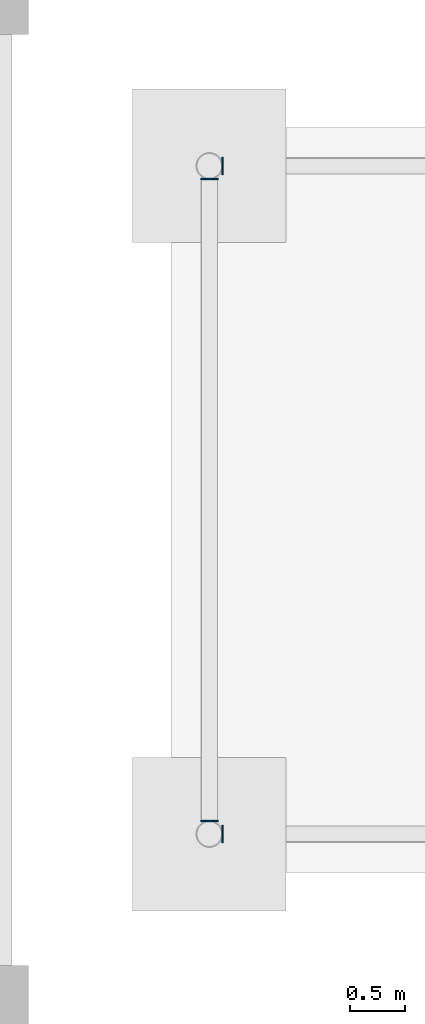
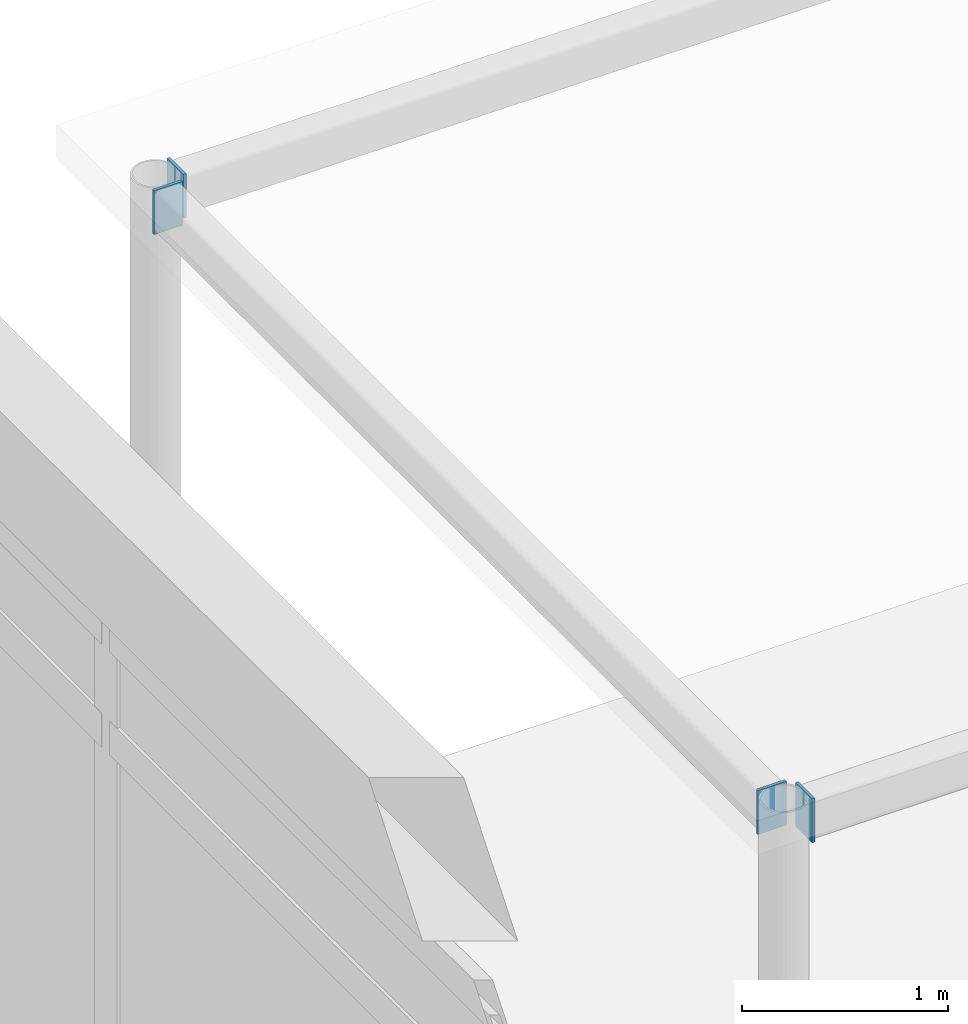
# One storey, part 49 of 76: 4 plates.
"""IFC4 building model written with IfcOpenShell, lengths in metres."""

import ifcopenshell
import ifcopenshell.guid

model = None  # the IFC model being written
_history = None  # IfcOwnerHistory: only IFC2X3 demands one
_inside = {}  # id of a spatial element -> (the spatial element, [elements in it])
_under = {}  # id of a project, library or spatial element -> (it, [spatial elements below it])
_declared = {}  # id of a project -> (the project, [libraries it declares])
_typed = {}  # id of a type object -> (the type object, [elements of that type])
_made_of = {}  # id of a material, layer set ... -> (it, [elements and type objects made of it])


def new_model(schema):
    """Start an empty IFC model of exactly this schema.

    Asked for "IFC4X3", IfcOpenShell would pick the latest addendum, in which some entities
    have other attributes; the version numbers below select the first issue.
    IFC2X3 requires an IfcOwnerHistory on every rooted entity: one is made here for all.
    """
    global model, _history
    if schema == "IFC4X3":
        model = ifcopenshell.file(schema_version=(4, 3, 0, 0))
    else:
        model = ifcopenshell.file(schema=schema)
    _inside.clear()
    _under.clear()
    _declared.clear()
    _typed.clear()
    _made_of.clear()
    _history = None
    if model.schema == "IFC2X3":
        org = make("IfcOrganization", Name="unknown")
        user = make(
            "IfcPersonAndOrganization",
            ThePerson=make("IfcPerson", FamilyName="unknown"),
            TheOrganization=org,
        )
        app = make(
            "IfcApplication",
            ApplicationDeveloper=org,
            Version="unknown",
            ApplicationFullName="unknown",
            ApplicationIdentifier="unknown",
        )
        _history = make(
            "IfcOwnerHistory",
            OwningUser=user,
            OwningApplication=app,
            ChangeAction="ADDED",
            CreationDate=0,
        )
    return model


def make(cls, **values):
    """One entity of the class cls with the attributes given. An attribute that is None is left unset."""
    return model.create_entity(
        cls, **{name: value for name, value in values.items() if value is not None}
    )


def rooted(cls, **values):
    """An entity with a GlobalId (a new one), such as an element, a storey or a relation."""
    return make(cls, GlobalId=ifcopenshell.guid.new(), OwnerHistory=_history, **values)


def si_unit(unit_type, name, prefix=None):
    """IfcSIUnit, for example si_unit("LENGTHUNIT", "METRE", prefix="MILLI")."""
    return make("IfcSIUnit", UnitType=unit_type, Prefix=prefix, Name=name)


def assignment(units):
    """IfcUnitAssignment: the units of a project."""
    return None if units is None else make("IfcUnitAssignment", Units=units)


def point(xyz):
    """IfcCartesianPoint."""
    return None if xyz is None else make("IfcCartesianPoint", Coordinates=xyz)


def direction(xyz):
    """IfcDirection."""
    return None if xyz is None else make("IfcDirection", DirectionRatios=xyz)


def frame(location, z_axis=None, x_axis=None):
    """IfcAxis2Placement3D, a coordinate frame: its origin and axes. An axis left out is left unset."""
    return make(
        "IfcAxis2Placement3D",
        Location=point(location),
        Axis=direction(z_axis),
        RefDirection=direction(x_axis),
    )


def frame_2d(location, x_axis=None):
    """IfcAxis2Placement2D, a coordinate frame in the plane: its origin and x axis."""
    return make(
        "IfcAxis2Placement2D", Location=point(location), RefDirection=direction(x_axis)
    )


def origin():
    """The frame at (0, 0, 0) with its axes left unset."""
    return frame((0.0, 0.0, 0.0))


def origin_2d():
    """The frame at (0, 0) in the plane with its x axis left unset."""
    return frame_2d((0.0, 0.0))


def place(relative_to, where):
    """IfcLocalPlacement: puts the frame where relative to a parent placement (None: the world)."""
    return make(
        "IfcLocalPlacement", PlacementRelTo=relative_to, RelativePlacement=where
    )


def context(
    kind, dimensions, precision=None, world=None, true_north=None, identifier=None
):
    """IfcGeometricRepresentationContext, for example the 3D "Model" context."""
    return make(
        "IfcGeometricRepresentationContext",
        ContextIdentifier=identifier,
        ContextType=kind,
        CoordinateSpaceDimension=dimensions,
        Precision=precision,
        WorldCoordinateSystem=world,
        TrueNorth=true_north,
    )


def subcontext(parent, identifier, kind, view, scale=None):
    """IfcGeometricRepresentationSubContext, for example "Body" below "Model"."""
    return make(
        "IfcGeometricRepresentationSubContext",
        ContextIdentifier=identifier,
        ContextType=kind,
        ParentContext=parent,
        TargetScale=scale,
        TargetView=view,
    )


def project(units=None, contexts=None):
    """IfcProject with its units and contexts."""
    return rooted(
        "IfcProject",
        Name="project",
        RepresentationContexts=contexts,
        UnitsInContext=assignment(units),
    )


def spatial(cls, under=None, at=None, **own):
    """A site, building, storey or space (cls), placed at a placement, below another one or the project."""
    s = rooted(cls, ObjectPlacement=at, **own)
    if under is not None:
        _under.setdefault(under.id(), (under, []))[1].append(s)
    return s


def profile(cls, at=None, kind="AREA", **sizes):
    """A parametric profile (cls). Its sizes go by their IFC names, for example OverallWidth=200.0."""
    return make(cls, ProfileType=kind, Position=at, **sizes)


def rectangle(**sizes):
    """IfcRectangleProfileDef."""
    return profile("IfcRectangleProfileDef", **sizes)


def extrude(swept, where, along, depth):
    """IfcExtrudedAreaSolid: the profile swept, set in the frame where, extruded along a direction by depth."""
    return make(
        "IfcExtrudedAreaSolid",
        SweptArea=swept,
        Position=where,
        ExtrudedDirection=direction(along),
        Depth=depth,
    )


def shape(context_of_items, identifier, shape_type, items):
    """IfcShapeRepresentation: the items that make up one representation, for example the "Body"."""
    return make(
        "IfcShapeRepresentation",
        ContextOfItems=context_of_items,
        RepresentationIdentifier=identifier,
        RepresentationType=shape_type,
        Items=items,
    )


def material(Name=None, Category=None):
    """IfcMaterial."""
    return make("IfcMaterial", Name=Name, Category=Category)


def layer(
    of_material, thickness, ventilated=None, Name=None, Category=None, Priority=None
):
    """IfcMaterialLayer: one layer of a wall or slab, of a material (None: an air gap)."""
    return make(
        "IfcMaterialLayer",
        Material=of_material,
        LayerThickness=thickness,
        IsVentilated=ventilated,
        Name=Name,
        Category=Category,
        Priority=Priority,
    )


def layer_set(layers, Name=None):
    """IfcMaterialLayerSet."""
    return make("IfcMaterialLayerSet", MaterialLayers=layers, LayerSetName=Name)


def made_of(thing, what):
    """Note that an element or type object is made of a material, layer set ...; save() writes the relation."""
    if what is not None:
        _made_of.setdefault(what.id(), (what, []))[1].append(thing)
    return thing


def type_object(cls, material=None, **own):
    """A type object (cls), such as IfcWallType, which elements share."""
    return made_of(rooted(cls, **own), material)


def element(
    cls,
    number,
    at=None,
    inside=None,
    cuts=None,
    type_object=None,
    material=None,
    context=None,
    identifier="Body",
    shape_type=None,
    held_by="IfcProductDefinitionShape",
    body=None,
    shapes=None,
    **own,
):
    """One element of the class cls, such as IfcWall. Its Tag is "e" and its number.

    at: its placement. inside: the storey or other place that contains it. cuts: it is an
    opening in that element (IfcRelVoidsElement). A single representation is given by context,
    identifier, shape_type and body (its items); several are given by shapes. held_by: the class
    of the entity that holds the representations. save() writes the other relations.
    """
    e = rooted(cls, Tag="e%d" % number, ObjectPlacement=at, **own)
    if body is not None:
        shapes = [shape(context, identifier, shape_type, body)]
    if shapes is not None:
        e.Representation = make(held_by, Representations=shapes)
    if inside is not None:
        _inside.setdefault(inside.id(), (inside, []))[1].append(e)
    if cuts is not None:
        rooted(
            "IfcRelVoidsElement", RelatingBuildingElement=cuts, RelatedOpeningElement=e
        )
    if type_object is not None:
        _typed.setdefault(type_object.id(), (type_object, []))[1].append(e)
    return made_of(e, material)


def aggregate(whole, parts):
    """IfcRelAggregates: a whole, such as a stair, and the parts it consists of."""
    return rooted("IfcRelAggregates", RelatingObject=whole, RelatedObjects=parts)


def save(model, path):
    """Write the relations noted so far, then the file.

    IfcRelAggregates (storeys below a building ...), IfcRelContainedInSpatialStructure (elements
    in a storey), IfcRelDefinesByType, IfcRelAssociatesMaterial and IfcRelDeclares: one each for
    every whole, place, type object, material and project.
    """
    for whole, parts in _under.values():
        aggregate(whole, parts)
    for where, things in _inside.values():
        rooted(
            "IfcRelContainedInSpatialStructure",
            RelatedElements=things,
            RelatingStructure=where,
        )
    for kind, things in _typed.values():
        rooted("IfcRelDefinesByType", RelatedObjects=things, RelatingType=kind)
    for what, things in _made_of.values():
        rooted("IfcRelAssociatesMaterial", RelatedObjects=things, RelatingMaterial=what)
    for by, libraries in _declared.values():
        rooted("IfcRelDeclares", RelatingContext=by, RelatedDefinitions=libraries)
    model.write(path)


model = new_model("IFC4")

# Units and contexts
model_context = context("Model", 3, precision=1e-05, world=origin(), true_north=direction((0.0, 1.0)))
body_context = subcontext(model_context, "Body", "Model", "MODEL_VIEW")
ifc_project = project(units=[si_unit("LENGTHUNIT", "METRE"), si_unit("AREAUNIT", "SQUARE_METRE"), si_unit("VOLUMEUNIT", "CUBIC_METRE"), si_unit("PLANEANGLEUNIT", "RADIAN"), si_unit("MASSUNIT", "GRAM", prefix="KILO")], contexts=[model_context])

# Site, building, storey
site_placement = place(None, origin())
site = spatial("IfcSite", under=ifc_project, at=site_placement, CompositionType="ELEMENT")
building_placement = place(site_placement, origin())
building = spatial("IfcBuilding", under=site, at=building_placement, Name="Bozkorgan Art Gallery", CompositionType="ELEMENT")
storey_placement = place(building_placement, origin())
storey = spatial("IfcBuildingStorey", under=building, at=storey_placement, Name="L00", CompositionType="ELEMENT", Elevation=0.0)

# Plates
ifc_material = material(Name="Steel S355J2", Category="steel")
ifc_layer = layer(ifc_material, 0.01611328125, Name="Steel S355J2")
ifc_layer_set = layer_set([ifc_layer], Name="Steel S355J2")
plate_type = type_object("IfcPlateType", Name="PLATE-EC-14", PredefinedType="USERDEFINED", material=ifc_layer_set)
for number, where, z_axis, x_axis, name in (
    (1, (103.1201171875, 85.949951171875, 4.044921875), (0.0, 0.0, 1.0), (1.0, 0.0, 0.0), "East Water-Court Covered Walk chord end cap 1.1"),
    (2, (103.1201171875, 92.050048828125, 4.044921875), (0.0, 0.0, 1.0), (-1.0, 0.0, 0.0), "East Water-Court Covered Walk chord end cap 3.2"),
    (3, (103.0, 91.929931640625, 4.044921875), (0.0, 0.0, 1.0), (0.0, -1.0, 0.0), "East Water-Court Covered Walk chord end cap 4.1"),
    (4, (103.0, 86.070068359375, 4.044921875), (0.0, 0.0, 1.0), (0.0, -1.0, 0.0), "East Water-Court Covered Walk chord end cap 4.2"),
):
    element("IfcPlate", number, at=place(storey_placement, frame(where, z_axis=z_axis, x_axis=x_axis)), inside=storey, type_object=plate_type, Name=name, ObjectType="END CAP PLATE", PredefinedType="USERDEFINED", context=body_context, shape_type="SweptSolid", body=[
        extrude(rectangle(XDim=0.01611328125, YDim=0.159912109375, at=origin_2d()), origin(), (0.0, 0.0, 1.0), 0.260009765625),
    ])

save(model, "model.ifc")
